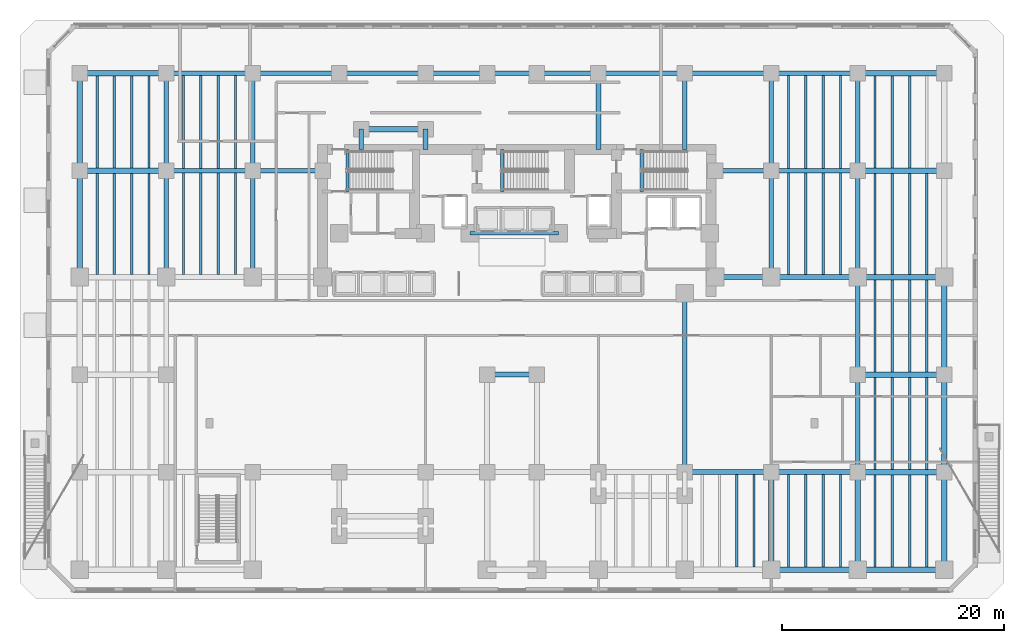
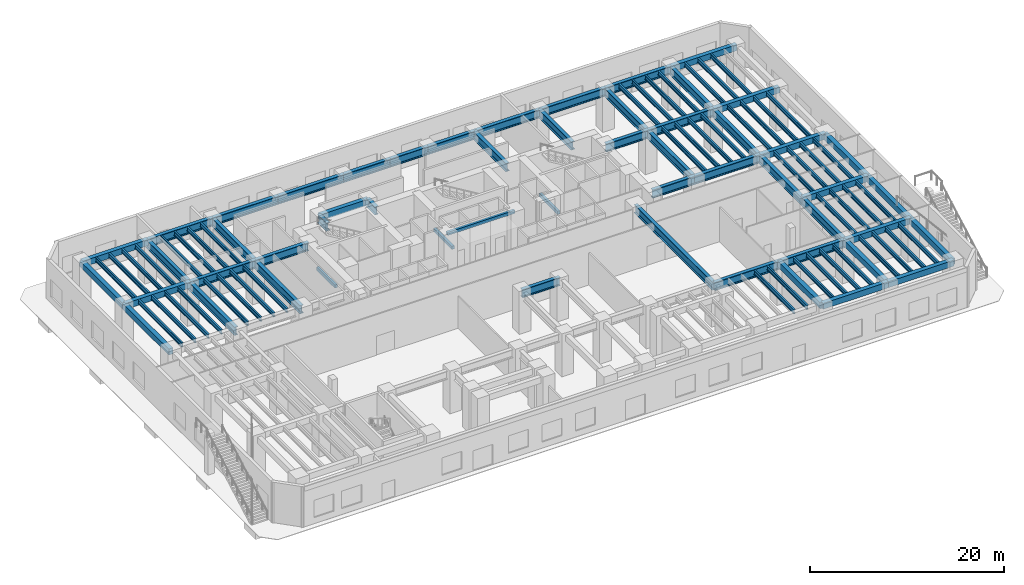
# One storey, part 2 of 17: 103 beams.
"""IFC4 building model written with IfcOpenShell, lengths in metres."""

import ifcopenshell
import ifcopenshell.guid

model = None  # the IFC model being written
_history = None  # IfcOwnerHistory: only IFC2X3 demands one
_inside = {}  # id of a spatial element -> (the spatial element, [elements in it])
_under = {}  # id of a project, library or spatial element -> (it, [spatial elements below it])
_declared = {}  # id of a project -> (the project, [libraries it declares])
_typed = {}  # id of a type object -> (the type object, [elements of that type])
_made_of = {}  # id of a material, layer set ... -> (it, [elements and type objects made of it])


def new_model(schema):
    """Start an empty IFC model of exactly this schema.

    Asked for "IFC4X3", IfcOpenShell would pick the latest addendum, in which some entities
    have other attributes; the version numbers below select the first issue.
    IFC2X3 requires an IfcOwnerHistory on every rooted entity: one is made here for all.
    """
    global model, _history
    if schema == "IFC4X3":
        model = ifcopenshell.file(schema_version=(4, 3, 0, 0))
    else:
        model = ifcopenshell.file(schema=schema)
    _inside.clear()
    _under.clear()
    _declared.clear()
    _typed.clear()
    _made_of.clear()
    _history = None
    if model.schema == "IFC2X3":
        org = make("IfcOrganization", Name="unknown")
        user = make(
            "IfcPersonAndOrganization",
            ThePerson=make("IfcPerson", FamilyName="unknown"),
            TheOrganization=org,
        )
        app = make(
            "IfcApplication",
            ApplicationDeveloper=org,
            Version="unknown",
            ApplicationFullName="unknown",
            ApplicationIdentifier="unknown",
        )
        _history = make(
            "IfcOwnerHistory",
            OwningUser=user,
            OwningApplication=app,
            ChangeAction="ADDED",
            CreationDate=0,
        )
    return model


def make(cls, **values):
    """One entity of the class cls with the attributes given. An attribute that is None is left unset."""
    return model.create_entity(
        cls, **{name: value for name, value in values.items() if value is not None}
    )


def rooted(cls, **values):
    """An entity with a GlobalId (a new one), such as an element, a storey or a relation."""
    return make(cls, GlobalId=ifcopenshell.guid.new(), OwnerHistory=_history, **values)


def si_unit(unit_type, name, prefix=None):
    """IfcSIUnit, for example si_unit("LENGTHUNIT", "METRE", prefix="MILLI")."""
    return make("IfcSIUnit", UnitType=unit_type, Prefix=prefix, Name=name)


def assignment(units):
    """IfcUnitAssignment: the units of a project."""
    return None if units is None else make("IfcUnitAssignment", Units=units)


def point(xyz):
    """IfcCartesianPoint."""
    return None if xyz is None else make("IfcCartesianPoint", Coordinates=xyz)


def direction(xyz):
    """IfcDirection."""
    return None if xyz is None else make("IfcDirection", DirectionRatios=xyz)


def frame(location, z_axis=None, x_axis=None):
    """IfcAxis2Placement3D, a coordinate frame: its origin and axes. An axis left out is left unset."""
    return make(
        "IfcAxis2Placement3D",
        Location=point(location),
        Axis=direction(z_axis),
        RefDirection=direction(x_axis),
    )


def frame_2d(location, x_axis=None):
    """IfcAxis2Placement2D, a coordinate frame in the plane: its origin and x axis."""
    return make(
        "IfcAxis2Placement2D", Location=point(location), RefDirection=direction(x_axis)
    )


def origin():
    """The frame at (0, 0, 0) with its axes left unset."""
    return frame((0.0, 0.0, 0.0))


def origin_2d():
    """The frame at (0, 0) in the plane with its x axis left unset."""
    return frame_2d((0.0, 0.0))


def place(relative_to, where):
    """IfcLocalPlacement: puts the frame where relative to a parent placement (None: the world)."""
    return make(
        "IfcLocalPlacement", PlacementRelTo=relative_to, RelativePlacement=where
    )


def context(
    kind, dimensions, precision=None, world=None, true_north=None, identifier=None
):
    """IfcGeometricRepresentationContext, for example the 3D "Model" context."""
    return make(
        "IfcGeometricRepresentationContext",
        ContextIdentifier=identifier,
        ContextType=kind,
        CoordinateSpaceDimension=dimensions,
        Precision=precision,
        WorldCoordinateSystem=world,
        TrueNorth=true_north,
    )


def subcontext(parent, identifier, kind, view, scale=None):
    """IfcGeometricRepresentationSubContext, for example "Body" below "Model"."""
    return make(
        "IfcGeometricRepresentationSubContext",
        ContextIdentifier=identifier,
        ContextType=kind,
        ParentContext=parent,
        TargetScale=scale,
        TargetView=view,
    )


def project(units=None, contexts=None):
    """IfcProject with its units and contexts."""
    return rooted(
        "IfcProject",
        Name="project",
        RepresentationContexts=contexts,
        UnitsInContext=assignment(units),
    )


def spatial(cls, under=None, at=None, **own):
    """A site, building, storey or space (cls), placed at a placement, below another one or the project."""
    s = rooted(cls, ObjectPlacement=at, **own)
    if under is not None:
        _under.setdefault(under.id(), (under, []))[1].append(s)
    return s


def profile(cls, at=None, kind="AREA", **sizes):
    """A parametric profile (cls). Its sizes go by their IFC names, for example OverallWidth=200.0."""
    return make(cls, ProfileType=kind, Position=at, **sizes)


def rectangle(**sizes):
    """IfcRectangleProfileDef."""
    return profile("IfcRectangleProfileDef", **sizes)


def i_section(**sizes):
    """IfcIShapeProfileDef."""
    return profile("IfcIShapeProfileDef", **sizes)


def extrude(swept, where, along, depth):
    """IfcExtrudedAreaSolid: the profile swept, set in the frame where, extruded along a direction by depth."""
    return make(
        "IfcExtrudedAreaSolid",
        SweptArea=swept,
        Position=where,
        ExtrudedDirection=direction(along),
        Depth=depth,
    )


def shape(context_of_items, identifier, shape_type, items):
    """IfcShapeRepresentation: the items that make up one representation, for example the "Body"."""
    return make(
        "IfcShapeRepresentation",
        ContextOfItems=context_of_items,
        RepresentationIdentifier=identifier,
        RepresentationType=shape_type,
        Items=items,
    )


def material(Name=None, Category=None):
    """IfcMaterial."""
    return make("IfcMaterial", Name=Name, Category=Category)


def material_profile(
    of_material, cross_section, Name=None, Category=None, Priority=None
):
    """IfcMaterialProfile: a cross section and its material."""
    return make(
        "IfcMaterialProfile",
        Name=Name,
        Material=of_material,
        Profile=cross_section,
        Priority=Priority,
        Category=Category,
    )


def profile_set(profiles, Name=None, composite=None):
    """IfcMaterialProfileSet."""
    return make(
        "IfcMaterialProfileSet",
        Name=Name,
        MaterialProfiles=profiles,
        CompositeProfile=composite,
    )


def made_of(thing, what):
    """Note that an element or type object is made of a material, layer set ...; save() writes the relation."""
    if what is not None:
        _made_of.setdefault(what.id(), (what, []))[1].append(thing)
    return thing


def type_object(cls, material=None, **own):
    """A type object (cls), such as IfcWallType, which elements share."""
    return made_of(rooted(cls, **own), material)


def element(
    cls,
    number,
    at=None,
    inside=None,
    cuts=None,
    type_object=None,
    material=None,
    context=None,
    identifier="Body",
    shape_type=None,
    held_by="IfcProductDefinitionShape",
    body=None,
    shapes=None,
    **own,
):
    """One element of the class cls, such as IfcWall. Its Tag is "e" and its number.

    at: its placement. inside: the storey or other place that contains it. cuts: it is an
    opening in that element (IfcRelVoidsElement). A single representation is given by context,
    identifier, shape_type and body (its items); several are given by shapes. held_by: the class
    of the entity that holds the representations. save() writes the other relations.
    """
    e = rooted(cls, Tag="e%d" % number, ObjectPlacement=at, **own)
    if body is not None:
        shapes = [shape(context, identifier, shape_type, body)]
    if shapes is not None:
        e.Representation = make(held_by, Representations=shapes)
    if inside is not None:
        _inside.setdefault(inside.id(), (inside, []))[1].append(e)
    if cuts is not None:
        rooted(
            "IfcRelVoidsElement", RelatingBuildingElement=cuts, RelatedOpeningElement=e
        )
    if type_object is not None:
        _typed.setdefault(type_object.id(), (type_object, []))[1].append(e)
    return made_of(e, material)


def aggregate(whole, parts):
    """IfcRelAggregates: a whole, such as a stair, and the parts it consists of."""
    return rooted("IfcRelAggregates", RelatingObject=whole, RelatedObjects=parts)


def save(model, path):
    """Write the relations noted so far, then the file.

    IfcRelAggregates (storeys below a building ...), IfcRelContainedInSpatialStructure (elements
    in a storey), IfcRelDefinesByType, IfcRelAssociatesMaterial and IfcRelDeclares: one each for
    every whole, place, type object, material and project.
    """
    for whole, parts in _under.values():
        aggregate(whole, parts)
    for where, things in _inside.values():
        rooted(
            "IfcRelContainedInSpatialStructure",
            RelatedElements=things,
            RelatingStructure=where,
        )
    for kind, things in _typed.values():
        rooted("IfcRelDefinesByType", RelatedObjects=things, RelatingType=kind)
    for what, things in _made_of.values():
        rooted("IfcRelAssociatesMaterial", RelatedObjects=things, RelatingMaterial=what)
    for by, libraries in _declared.values():
        rooted("IfcRelDeclares", RelatingContext=by, RelatedDefinitions=libraries)
    model.write(path)


model = new_model("IFC4")

# Units and contexts
model_context = context("Model", 3, precision=1e-05, world=origin(), true_north=direction((0.0, 1.0)))
body_context = subcontext(model_context, "Body", "Model", "MODEL_VIEW")
ifc_project = project(units=[si_unit("LENGTHUNIT", "METRE"), si_unit("AREAUNIT", "SQUARE_METRE"), si_unit("VOLUMEUNIT", "CUBIC_METRE"), si_unit("PLANEANGLEUNIT", "RADIAN"), si_unit("MASSUNIT", "GRAM", prefix="KILO")], contexts=[model_context])

# Site, building, storey
site_placement = place(None, origin())
site = spatial("IfcSite", under=ifc_project, at=site_placement, CompositionType="ELEMENT")
building_placement = place(site_placement, origin())
building = spatial("IfcBuilding", under=site, at=building_placement, Name="Kestravale Grand Hotel", CompositionType="ELEMENT")
storey_placement = place(building_placement, origin())
storey = spatial("IfcBuildingStorey", under=building, at=storey_placement, Name="L00", CompositionType="ELEMENT", Elevation=0.0)

# Beams
ifc_material_1 = material(Name="Steel ASTM A992 Grade 50", Category="steel")
ifc_material_profile_1 = material_profile(ifc_material_1, i_section(OverallWidth=0.2099609375, OverallDepth=0.535888671875, WebThickness=0.010986328125, FlangeThickness=0.017333984375, FilletRadius=0.017578125, at=origin_2d()))
ifc_profile_set_1 = profile_set([ifc_material_profile_1], Name="Steel ASTM A992 Grade 50")
beam_type_1 = type_object("IfcBeamType", Name="B-FLR-JST21", PredefinedType="JOIST", material=ifc_profile_set_1)
for number, where, z_axis, x_axis, name in (
    (1, (1.56005859375, 29.050048828125, 4.83203125), (0.0, 1.0, 0.0), (-1.0, 0.0, 0.0), "L00 floor joist 1-2/E-F #1"),
    (2, (3.1201171875, 29.050048828125, 4.83203125), (0.0, 1.0, 0.0), (-1.0, 0.0, 0.0), "L00 floor joist 1-2/E-F #2"),
    (3, (4.679931640625, 29.050048828125, 4.83203125), (0.0, 1.0, 0.0), (-1.0, 0.0, 0.0), "L00 floor joist 1-2/E-F #3"),
    (4, (6.239990234375, 29.050048828125, 4.83203125), (0.0, 1.0, 0.0), (-1.0, 0.0, 0.0), "L00 floor joist 1-2/E-F #4"),
):
    element("IfcBeam", number, at=place(storey_placement, frame(where, z_axis=z_axis, x_axis=x_axis)), inside=storey, type_object=beam_type_1, Name=name, PredefinedType="JOIST", context=body_context, shape_type="SweptSolid", body=[
        extrude(i_section(OverallWidth=0.2099609375, OverallDepth=0.535888671875, WebThickness=0.010986328125, FlangeThickness=0.017333984375, FilletRadius=0.017578125, at=origin_2d()), origin(), (0.0, 0.0, 1.0), 9.099853515625),
    ])
for number, where, z_axis, x_axis, name in (
    (5, (1.56005859375, 38.64990234375, 4.83203125), (0.0, 1.0, 0.0), (-1.0, 0.0, 0.0), "L00 floor joist 1-2/F-G #1"),
    (6, (3.1201171875, 38.64990234375, 4.83203125), (0.0, 1.0, 0.0), (-1.0, 0.0, 0.0), "L00 floor joist 1-2/F-G #2"),
    (7, (4.679931640625, 38.64990234375, 4.83203125), (0.0, 1.0, 0.0), (-1.0, 0.0, 0.0), "L00 floor joist 1-2/F-G #3"),
    (8, (6.239990234375, 38.64990234375, 4.83203125), (0.0, 1.0, 0.0), (-1.0, 0.0, 0.0), "L00 floor joist 1-2/F-G #4"),
):
    element("IfcBeam", number, at=place(storey_placement, frame(where, z_axis=z_axis, x_axis=x_axis)), inside=storey, type_object=beam_type_1, Name=name, PredefinedType="JOIST", context=body_context, shape_type="SweptSolid", body=[
        extrude(i_section(OverallWidth=0.2099609375, OverallDepth=0.535888671875, WebThickness=0.010986328125, FlangeThickness=0.017333984375, FilletRadius=0.017578125, at=origin_2d()), origin(), (0.0, 0.0, 1.0), 8.300048828125),
    ])
for number, where, z_axis, x_axis, name in (
    (9, (9.360107421875, 29.013427734375, 4.83203125), (0.0, 1.0, 0.0), (-1.0, 0.0, 0.0), "L00 floor joist 2-3/E-F #1"),
    (10, (10.919921875, 29.013427734375, 4.83203125), (0.0, 1.0, 0.0), (-1.0, 0.0, 0.0), "L00 floor joist 2-3/E-F #2"),
    (11, (12.47998046875, 29.013427734375, 4.83203125), (0.0, 1.0, 0.0), (-1.0, 0.0, 0.0), "L00 floor joist 2-3/E-F #3"),
    (12, (14.0400390625, 29.013427734375, 4.83203125), (0.0, 1.0, 0.0), (-1.0, 0.0, 0.0), "L00 floor joist 2-3/E-F #4"),
):
    element("IfcBeam", number, at=place(storey_placement, frame(where, z_axis=z_axis, x_axis=x_axis)), inside=storey, type_object=beam_type_1, Name=name, PredefinedType="JOIST", context=body_context, shape_type="SweptSolid", body=[
        extrude(i_section(OverallWidth=0.2099609375, OverallDepth=0.535888671875, WebThickness=0.010986328125, FlangeThickness=0.017333984375, FilletRadius=0.017578125, at=origin_2d()), origin(), (0.0, 0.0, 1.0), 9.173095703125),
    ])
for number, where, z_axis, x_axis, name in (
    (13, (9.360107421875, 38.613525390625, 4.83203125), (0.0, 1.0, 0.0), (-1.0, 0.0, 0.0), "L00 floor joist 2-3/F-G #1"),
    (14, (10.919921875, 38.613525390625, 4.83203125), (0.0, 1.0, 0.0), (-1.0, 0.0, 0.0), "L00 floor joist 2-3/F-G #2"),
    (15, (12.47998046875, 38.613525390625, 4.83203125), (0.0, 1.0, 0.0), (-1.0, 0.0, 0.0), "L00 floor joist 2-3/F-G #3"),
    (16, (14.0400390625, 38.613525390625, 4.83203125), (0.0, 1.0, 0.0), (-1.0, 0.0, 0.0), "L00 floor joist 2-3/F-G #4"),
):
    element("IfcBeam", number, at=place(storey_placement, frame(where, z_axis=z_axis, x_axis=x_axis)), inside=storey, type_object=beam_type_1, Name=name, PredefinedType="JOIST", context=body_context, shape_type="SweptSolid", body=[
        extrude(i_section(OverallWidth=0.2099609375, OverallDepth=0.535888671875, WebThickness=0.010986328125, FlangeThickness=0.017333984375, FilletRadius=0.017578125, at=origin_2d()), origin(), (0.0, 0.0, 1.0), 8.373046875),
    ])
for number, where, z_axis, x_axis, name in (
    (17, (59.280029296875, 2.64990234375, 4.83203125), (0.0, 1.0, 0.0), (-1.0, 0.0, 0.0), "L00 floor joist 9-10/B-C #3"),
    (18, (60.840087890625, 2.64990234375, 4.83203125), (0.0, 1.0, 0.0), (-1.0, 0.0, 0.0), "L00 floor joist 9-10/B-C #4"),
    (19, (63.9599609375, 2.64990234375, 4.83203125), (0.0, 1.0, 0.0), (-1.0, 0.0, 0.0), "L00 floor joist 10-11/B-C #1"),
    (20, (65.52001953125, 2.64990234375, 4.83203125), (0.0, 1.0, 0.0), (-1.0, 0.0, 0.0), "L00 floor joist 10-11/B-C #2"),
    (21, (67.080078125, 2.64990234375, 4.83203125), (0.0, 1.0, 0.0), (-1.0, 0.0, 0.0), "L00 floor joist 10-11/B-C #3"),
    (22, (68.639892578125, 2.64990234375, 4.83203125), (0.0, 1.0, 0.0), (-1.0, 0.0, 0.0), "L00 floor joist 10-11/B-C #4"),
):
    element("IfcBeam", number, at=place(storey_placement, frame(where, z_axis=z_axis, x_axis=x_axis)), inside=storey, type_object=beam_type_1, Name=name, PredefinedType="JOIST", context=body_context, shape_type="SweptSolid", body=[
        extrude(i_section(OverallWidth=0.2099609375, OverallDepth=0.535888671875, WebThickness=0.010986328125, FlangeThickness=0.017333984375, FilletRadius=0.017578125, at=origin_2d()), origin(), (0.0, 0.0, 1.0), 8.336669921875),
    ])
for number, where, z_axis, x_axis, name in (
    (23, (63.9599609375, 29.013427734375, 4.83203125), (0.0, 1.0, 0.0), (-1.0, 0.0, 0.0), "L00 floor joist 10-11/E-F #1"),
    (24, (65.52001953125, 29.013427734375, 4.83203125), (0.0, 1.0, 0.0), (-1.0, 0.0, 0.0), "L00 floor joist 10-11/E-F #2"),
    (25, (67.080078125, 29.013427734375, 4.83203125), (0.0, 1.0, 0.0), (-1.0, 0.0, 0.0), "L00 floor joist 10-11/E-F #3"),
    (26, (68.639892578125, 29.013427734375, 4.83203125), (0.0, 1.0, 0.0), (-1.0, 0.0, 0.0), "L00 floor joist 10-11/E-F #4"),
):
    element("IfcBeam", number, at=place(storey_placement, frame(where, z_axis=z_axis, x_axis=x_axis)), inside=storey, type_object=beam_type_1, Name=name, PredefinedType="JOIST", context=body_context, shape_type="SweptSolid", body=[
        extrude(i_section(OverallWidth=0.2099609375, OverallDepth=0.535888671875, WebThickness=0.010986328125, FlangeThickness=0.017333984375, FilletRadius=0.017578125, at=origin_2d()), origin(), (0.0, 0.0, 1.0), 9.173095703125),
    ])
for number, where, z_axis, x_axis, name in (
    (27, (63.9599609375, 38.613525390625, 4.83203125), (0.0, 1.0, 0.0), (-1.0, 0.0, 0.0), "L00 floor joist 10-11/F-G #1"),
    (28, (65.52001953125, 38.613525390625, 4.83203125), (0.0, 1.0, 0.0), (-1.0, 0.0, 0.0), "L00 floor joist 10-11/F-G #2"),
    (29, (67.080078125, 38.613525390625, 4.83203125), (0.0, 1.0, 0.0), (-1.0, 0.0, 0.0), "L00 floor joist 10-11/F-G #3"),
    (30, (68.639892578125, 38.613525390625, 4.83203125), (0.0, 1.0, 0.0), (-1.0, 0.0, 0.0), "L00 floor joist 10-11/F-G #4"),
):
    element("IfcBeam", number, at=place(storey_placement, frame(where, z_axis=z_axis, x_axis=x_axis)), inside=storey, type_object=beam_type_1, Name=name, PredefinedType="JOIST", context=body_context, shape_type="SweptSolid", body=[
        extrude(i_section(OverallWidth=0.2099609375, OverallDepth=0.535888671875, WebThickness=0.010986328125, FlangeThickness=0.017333984375, FilletRadius=0.017578125, at=origin_2d()), origin(), (0.0, 0.0, 1.0), 8.373046875),
    ])
for number, where, z_axis, x_axis, name in (
    (31, (71.760009765625, 2.64990234375, 4.83203125), (0.0, 1.0, 0.0), (-1.0, 0.0, 0.0), "L00 floor joist 11-12/B-C #1"),
    (32, (73.320068359375, 2.64990234375, 4.83203125), (0.0, 1.0, 0.0), (-1.0, 0.0, 0.0), "L00 floor joist 11-12/B-C #2"),
    (33, (74.8798828125, 2.64990234375, 4.83203125), (0.0, 1.0, 0.0), (-1.0, 0.0, 0.0), "L00 floor joist 11-12/B-C #3"),
    (34, (76.43994140625, 2.64990234375, 4.83203125), (0.0, 1.0, 0.0), (-1.0, 0.0, 0.0), "L00 floor joist 11-12/B-C #4"),
    (35, (71.760009765625, 11.449951171875, 4.83203125), (0.0, 1.0, 0.0), (-1.0, 0.0, 0.0), "L00 floor joist 11-12/C-D #1"),
    (36, (73.320068359375, 11.449951171875, 4.83203125), (0.0, 1.0, 0.0), (-1.0, 0.0, 0.0), "L00 floor joist 11-12/C-D #2"),
    (37, (74.8798828125, 11.449951171875, 4.83203125), (0.0, 1.0, 0.0), (-1.0, 0.0, 0.0), "L00 floor joist 11-12/C-D #3"),
    (38, (76.43994140625, 11.449951171875, 4.83203125), (0.0, 1.0, 0.0), (-1.0, 0.0, 0.0), "L00 floor joist 11-12/C-D #4"),
    (39, (71.760009765625, 20.25, 4.83203125), (0.0, 1.0, 0.0), (-1.0, 0.0, 0.0), "L00 floor joist 11-12/D-E #1"),
    (40, (73.320068359375, 20.25, 4.83203125), (0.0, 1.0, 0.0), (-1.0, 0.0, 0.0), "L00 floor joist 11-12/D-E #2"),
    (41, (74.8798828125, 20.25, 4.83203125), (0.0, 1.0, 0.0), (-1.0, 0.0, 0.0), "L00 floor joist 11-12/D-E #3"),
    (42, (76.43994140625, 20.25, 4.83203125), (0.0, 1.0, 0.0), (-1.0, 0.0, 0.0), "L00 floor joist 11-12/D-E #4"),
):
    element("IfcBeam", number, at=place(storey_placement, frame(where, z_axis=z_axis, x_axis=x_axis)), inside=storey, type_object=beam_type_1, Name=name, PredefinedType="JOIST", context=body_context, shape_type="SweptSolid", body=[
        extrude(i_section(OverallWidth=0.2099609375, OverallDepth=0.535888671875, WebThickness=0.010986328125, FlangeThickness=0.017333984375, FilletRadius=0.017578125, at=origin_2d()), origin(), (0.0, 0.0, 1.0), 8.300048828125),
    ])
for number, where, z_axis, x_axis, name in (
    (43, (71.760009765625, 29.050048828125, 4.83203125), (0.0, 1.0, 0.0), (-1.0, 0.0, 0.0), "L00 floor joist 11-12/E-F #1"),
    (44, (73.320068359375, 29.050048828125, 4.83203125), (0.0, 1.0, 0.0), (-1.0, 0.0, 0.0), "L00 floor joist 11-12/E-F #2"),
    (45, (74.8798828125, 29.050048828125, 4.83203125), (0.0, 1.0, 0.0), (-1.0, 0.0, 0.0), "L00 floor joist 11-12/E-F #3"),
    (46, (76.43994140625, 29.050048828125, 4.83203125), (0.0, 1.0, 0.0), (-1.0, 0.0, 0.0), "L00 floor joist 11-12/E-F #4"),
):
    element("IfcBeam", number, at=place(storey_placement, frame(where, z_axis=z_axis, x_axis=x_axis)), inside=storey, type_object=beam_type_1, Name=name, PredefinedType="JOIST", context=body_context, shape_type="SweptSolid", body=[
        extrude(i_section(OverallWidth=0.2099609375, OverallDepth=0.535888671875, WebThickness=0.010986328125, FlangeThickness=0.017333984375, FilletRadius=0.017578125, at=origin_2d()), origin(), (0.0, 0.0, 1.0), 9.099853515625),
    ])
for number, where, z_axis, x_axis, name in (
    (47, (71.760009765625, 38.64990234375, 4.83203125), (0.0, 1.0, 0.0), (-1.0, 0.0, 0.0), "L00 floor joist 11-12/F-G #1"),
    (48, (73.320068359375, 38.64990234375, 4.83203125), (0.0, 1.0, 0.0), (-1.0, 0.0, 0.0), "L00 floor joist 11-12/F-G #2"),
    (49, (74.8798828125, 38.64990234375, 4.83203125), (0.0, 1.0, 0.0), (-1.0, 0.0, 0.0), "L00 floor joist 11-12/F-G #3"),
):
    element("IfcBeam", number, at=place(storey_placement, frame(where, z_axis=z_axis, x_axis=x_axis)), inside=storey, type_object=beam_type_1, Name=name, PredefinedType="JOIST", context=body_context, shape_type="SweptSolid", body=[
        extrude(i_section(OverallWidth=0.2099609375, OverallDepth=0.535888671875, WebThickness=0.010986328125, FlangeThickness=0.017333984375, FilletRadius=0.017578125, at=origin_2d()), origin(), (0.0, 0.0, 1.0), 8.300048828125),
    ])
ifc_material_2 = material(Name="Concrete f'c 45 MPa", Category="concrete")
ifc_material_profile_2 = material_profile(ifc_material_2, rectangle(XDim=0.300048828125, YDim=0.39990234375, at=origin_2d()))
ifc_profile_set_2 = profile_set([ifc_material_profile_2], Name="Concrete f'c 45 MPa")
beam_type_2 = type_object("IfcBeamType", Name="B-FLR-LNT400", PredefinedType="LINTEL", material=ifc_profile_set_2)
beam_1_placement = place(storey_placement, frame((35.199951171875, 32.75, 4.89990234375), z_axis=(1.0, 0.0, 0.0), x_axis=(0.0, 1.0, 0.0)))
element("IfcBeam", 50, at=beam_1_placement, inside=storey, type_object=beam_type_2, Name="L00 core portal header lintel", PredefinedType="LINTEL", context=body_context, shape_type="SweptSolid", body=[
    extrude(rectangle(XDim=0.300048828125, YDim=0.39990234375, at=origin_2d()), origin(), (0.0, 0.0, 1.0), 8.0),
])
for number, where, z_axis, x_axis, name in (
    (51, (24.159912109375, 36.52001953125, -0.199951171875), (0.0, 1.0, 0.0), (-1.0, 0.0, 0.0), "L00 ST1 flight bottom header beam"),
    (52, (38.110107421875, 36.52001953125, -0.199951171875), (0.0, 1.0, 0.0), (-1.0, 0.0, 0.0), "L00 ST2 flight bottom header beam"),
    (53, (50.7099609375, 36.52001953125, -0.199951171875), (0.0, 1.0, 0.0), (-1.0, 0.0, 0.0), "L00 ST3 flight bottom header beam"),
):
    element("IfcBeam", number, at=place(storey_placement, frame(where, z_axis=z_axis, x_axis=x_axis)), inside=storey, type_object=beam_type_2, Name=name, PredefinedType="LINTEL", context=body_context, shape_type="SweptSolid", body=[
        extrude(rectangle(XDim=0.300048828125, YDim=0.39990234375, at=origin_2d()), origin(), (0.0, 0.0, 1.0), 3.800048828125),
    ])
ifc_material_3 = material(Name="Concrete f'c 45 MPa", Category="concrete")
ifc_material_profile_3 = material_profile(ifc_material_3, rectangle(XDim=0.5, YDim=0.75, at=origin_2d()))
ifc_profile_set_3 = profile_set([ifc_material_profile_3], Name="Concrete f'c 45 MPa")
beam_type_3 = type_object("IfcBeamType", Name="B-FLR-RC750", PredefinedType="SPANDREL", material=ifc_profile_set_3)
for number, where, z_axis, x_axis, name in (
    (54, (62.39990234375, 2.39990234375, 4.72509765625), (1.0, 0.0, 0.0), (0.0, 1.0, 0.0), "L00 spandrel B:10-11"),
    (55, (70.199951171875, 2.39990234375, 4.72509765625), (1.0, 0.0, 0.0), (0.0, 1.0, 0.0), "L00 spandrel B:11-12"),
    (56, (70.199951171875, 11.199951171875, 4.72509765625), (1.0, 0.0, 0.0), (0.0, 1.0, 0.0), "L00 spandrel C:11-12"),
    (57, (70.199951171875, 20.0, 4.72509765625), (1.0, 0.0, 0.0), (0.0, 1.0, 0.0), "L00 spandrel D:11-12"),
    (58, (70.199951171875, 28.800048828125, 4.72509765625), (1.0, 0.0, 0.0), (0.0, 1.0, 0.0), "L00 spandrel E:11-12"),
    (59, (0.0, 38.39990234375, 4.72509765625), (1.0, 0.0, 0.0), (0.0, 1.0, 0.0), "L00 spandrel F:1-2"),
    (60, (70.199951171875, 38.39990234375, 4.72509765625), (1.0, 0.0, 0.0), (0.0, 1.0, 0.0), "L00 spandrel F:11-12"),
    (61, (0.0, 47.199951171875, 4.72509765625), (1.0, 0.0, 0.0), (0.0, 1.0, 0.0), "L00 spandrel G:1-2"),
    (62, (70.199951171875, 47.199951171875, 4.72509765625), (1.0, 0.0, 0.0), (0.0, 1.0, 0.0), "L00 spandrel G:11-12"),
):
    element("IfcBeam", number, at=place(storey_placement, frame(where, z_axis=z_axis, x_axis=x_axis)), inside=storey, type_object=beam_type_3, Name=name, PredefinedType="SPANDREL", context=body_context, shape_type="SweptSolid", body=[
        extrude(rectangle(XDim=0.5, YDim=0.75, at=origin_2d()), origin(), (0.0, 0.0, 1.0), 7.800048828125),
    ])
beam_2_placement = place(storey_placement, frame((25.39990234375, 42.14990234375, 4.72509765625), z_axis=(1.0, 0.0, 0.0), x_axis=(0.0, 1.0, 0.0)))
element("IfcBeam", 63, at=beam_2_placement, inside=storey, type_object=beam_type_3, Name="L00 perimeter tie spandrel FN:4-5", PredefinedType="SPANDREL", context=body_context, shape_type="SweptSolid", body=[
    extrude(rectangle(XDim=0.5, YDim=0.75, at=origin_2d()), origin(), (0.0, 0.0, 1.0), 5.800048828125),
])
beam_3_placement = place(storey_placement, frame((0.0, 28.800048828125, 4.72509765625), z_axis=(0.0, 1.0, 0.0), x_axis=(-1.0, 0.0, 0.0)))
element("IfcBeam", 64, at=beam_3_placement, inside=storey, type_object=beam_type_3, Name="L00 spandrel 1:E-F", PredefinedType="SPANDREL", context=body_context, shape_type="SweptSolid", body=[
    extrude(rectangle(XDim=0.5, YDim=0.75, at=origin_2d()), origin(), (0.0, 0.0, 1.0), 9.599853515625),
])
for number, where, z_axis, x_axis, name in (
    (65, (0.0, 38.39990234375, 4.72509765625), (0.0, 1.0, 0.0), (-1.0, 0.0, 0.0), "L00 spandrel 1:F-G"),
    (66, (62.39990234375, 2.39990234375, 4.72509765625), (0.0, 1.0, 0.0), (-1.0, 0.0, 0.0), "L00 spandrel 10:B-C"),
    (67, (70.199951171875, 2.39990234375, 4.72509765625), (0.0, 1.0, 0.0), (-1.0, 0.0, 0.0), "L00 spandrel 11:B-C"),
    (68, (78.0, 2.39990234375, 4.72509765625), (0.0, 1.0, 0.0), (-1.0, 0.0, 0.0), "L00 spandrel 12:B-C"),
    (69, (78.0, 11.199951171875, 4.72509765625), (0.0, 1.0, 0.0), (-1.0, 0.0, 0.0), "L00 spandrel 12:C-D"),
    (70, (78.0, 20.0, 4.72509765625), (0.0, 1.0, 0.0), (-1.0, 0.0, 0.0), "L00 spandrel 12:D-E"),
):
    element("IfcBeam", number, at=place(storey_placement, frame(where, z_axis=z_axis, x_axis=x_axis)), inside=storey, type_object=beam_type_3, Name=name, PredefinedType="SPANDREL", context=body_context, shape_type="SweptSolid", body=[
        extrude(rectangle(XDim=0.5, YDim=0.75, at=origin_2d()), origin(), (0.0, 0.0, 1.0), 8.800048828125),
    ])
ifc_material_4 = material(Name="Steel ASTM A992 Grade 50", Category="steel")
ifc_material_profile_4 = material_profile(ifc_material_4, i_section(OverallWidth=0.427001953125, OverallDepth=1.0400390625, WebThickness=0.031005859375, FlangeThickness=0.055908203125, FilletRadius=0.028076171875, at=origin_2d()))
ifc_profile_set_4 = profile_set([ifc_material_profile_4], Name="Steel ASTM A992 Grade 50")
beam_type_4 = type_object("IfcBeamType", Name="B-GRD-W40", PredefinedType="BEAM", material=ifc_profile_set_4)
beam_4_placement = place(storey_placement, frame((54.60009765625, 11.199951171875, 4.580078125), z_axis=(1.0, 0.0, 0.0), x_axis=(0.0, 1.0, 0.0)))
element("IfcBeam", 71, at=beam_4_placement, inside=storey, type_object=beam_type_4, Name="L00 girder C:9-10", PredefinedType="BEAM", context=body_context, shape_type="SweptSolid", body=[
    extrude(i_section(OverallWidth=0.427001953125, OverallDepth=1.0400390625, WebThickness=0.031005859375, FlangeThickness=0.055908203125, FilletRadius=0.028076171875, at=origin_2d()), origin(), (0.0, 0.0, 1.0), 7.7998046875),
])
beam_5_placement = place(storey_placement, frame((62.39990234375, 11.199951171875, 4.580078125), z_axis=(1.0, 0.0, 0.0), x_axis=(0.0, 1.0, 0.0)))
element("IfcBeam", 72, at=beam_5_placement, inside=storey, type_object=beam_type_4, Name="L00 girder C:10-11", PredefinedType="BEAM", context=body_context, shape_type="SweptSolid", body=[
    extrude(i_section(OverallWidth=0.427001953125, OverallDepth=1.0400390625, WebThickness=0.031005859375, FlangeThickness=0.055908203125, FilletRadius=0.028076171875, at=origin_2d()), origin(), (0.0, 0.0, 1.0), 7.800048828125),
])
beam_6_placement = place(storey_placement, frame((36.75, 20.0, 4.580078125), z_axis=(1.0, 0.0, 0.0), x_axis=(0.0, 1.0, 0.0)))
element("IfcBeam", 73, at=beam_6_placement, inside=storey, type_object=beam_type_4, Name="L00 girder D:6-7", PredefinedType="BEAM", context=body_context, shape_type="SweptSolid", body=[
    extrude(i_section(OverallWidth=0.427001953125, OverallDepth=1.0400390625, WebThickness=0.031005859375, FlangeThickness=0.055908203125, FilletRadius=0.028076171875, at=origin_2d()), origin(), (0.0, 0.0, 1.0), 4.5),
])
beam_7_placement = place(storey_placement, frame((57.35009765625, 28.800048828125, 4.580078125), z_axis=(1.0, 0.0, 0.0), x_axis=(0.0, 1.0, 0.0)))
element("IfcBeam", 74, at=beam_7_placement, inside=storey, type_object=beam_type_4, Name="L00 girder E:CE-10", PredefinedType="BEAM", context=body_context, shape_type="SweptSolid", body=[
    extrude(i_section(OverallWidth=0.427001953125, OverallDepth=1.0400390625, WebThickness=0.031005859375, FlangeThickness=0.055908203125, FilletRadius=0.028076171875, at=origin_2d()), origin(), (0.0, 0.0, 1.0), 5.0498046875),
])
for number, where, z_axis, x_axis, name in (
    (75, (62.39990234375, 28.800048828125, 4.580078125), (1.0, 0.0, 0.0), (0.0, 1.0, 0.0), "L00 girder E:10-11"),
    (76, (7.800048828125, 38.39990234375, 4.580078125), (1.0, 0.0, 0.0), (0.0, 1.0, 0.0), "L00 girder F:2-3"),
):
    element("IfcBeam", number, at=place(storey_placement, frame(where, z_axis=z_axis, x_axis=x_axis)), inside=storey, type_object=beam_type_4, Name=name, PredefinedType="BEAM", context=body_context, shape_type="SweptSolid", body=[
        extrude(i_section(OverallWidth=0.427001953125, OverallDepth=1.0400390625, WebThickness=0.031005859375, FlangeThickness=0.055908203125, FilletRadius=0.028076171875, at=origin_2d()), origin(), (0.0, 0.0, 1.0), 7.800048828125),
    ])
beam_8_placement = place(storey_placement, frame((15.60009765625, 38.39990234375, 4.580078125), z_axis=(1.0, 0.0, 0.0), x_axis=(0.0, 1.0, 0.0)))
element("IfcBeam", 77, at=beam_8_placement, inside=storey, type_object=beam_type_4, Name="L00 girder F:3-CW", PredefinedType="BEAM", context=body_context, shape_type="SweptSolid", body=[
    extrude(i_section(OverallWidth=0.427001953125, OverallDepth=1.0400390625, WebThickness=0.031005859375, FlangeThickness=0.055908203125, FilletRadius=0.028076171875, at=origin_2d()), origin(), (0.0, 0.0, 1.0), 6.2998046875),
])
beam_9_placement = place(storey_placement, frame((57.35009765625, 38.39990234375, 4.580078125), z_axis=(1.0, 0.0, 0.0), x_axis=(0.0, 1.0, 0.0)))
element("IfcBeam", 78, at=beam_9_placement, inside=storey, type_object=beam_type_4, Name="L00 girder F:CE-10", PredefinedType="BEAM", context=body_context, shape_type="SweptSolid", body=[
    extrude(i_section(OverallWidth=0.427001953125, OverallDepth=1.0400390625, WebThickness=0.031005859375, FlangeThickness=0.055908203125, FilletRadius=0.028076171875, at=origin_2d()), origin(), (0.0, 0.0, 1.0), 5.0498046875),
])
for number, where, z_axis, x_axis, name in (
    (79, (62.39990234375, 38.39990234375, 4.580078125), (1.0, 0.0, 0.0), (0.0, 1.0, 0.0), "L00 girder F:10-11"),
    (80, (7.800048828125, 47.199951171875, 4.580078125), (1.0, 0.0, 0.0), (0.0, 1.0, 0.0), "L00 girder G:2-3"),
):
    element("IfcBeam", number, at=place(storey_placement, frame(where, z_axis=z_axis, x_axis=x_axis)), inside=storey, type_object=beam_type_4, Name=name, PredefinedType="BEAM", context=body_context, shape_type="SweptSolid", body=[
        extrude(i_section(OverallWidth=0.427001953125, OverallDepth=1.0400390625, WebThickness=0.031005859375, FlangeThickness=0.055908203125, FilletRadius=0.028076171875, at=origin_2d()), origin(), (0.0, 0.0, 1.0), 7.800048828125),
    ])
beam_10_placement = place(storey_placement, frame((15.60009765625, 47.199951171875, 4.580078125), z_axis=(1.0, 0.0, 0.0), x_axis=(0.0, 1.0, 0.0)))
element("IfcBeam", 81, at=beam_10_placement, inside=storey, type_object=beam_type_4, Name="L00 girder G:3-4", PredefinedType="BEAM", context=body_context, shape_type="SweptSolid", body=[
    extrude(i_section(OverallWidth=0.427001953125, OverallDepth=1.0400390625, WebThickness=0.031005859375, FlangeThickness=0.055908203125, FilletRadius=0.028076171875, at=origin_2d()), origin(), (0.0, 0.0, 1.0), 7.7998046875),
])
beam_11_placement = place(storey_placement, frame((23.39990234375, 47.199951171875, 4.580078125), z_axis=(1.0, 0.0, 0.0), x_axis=(0.0, 1.0, 0.0)))
element("IfcBeam", 82, at=beam_11_placement, inside=storey, type_object=beam_type_4, Name="L00 girder G:4-5", PredefinedType="BEAM", context=body_context, shape_type="SweptSolid", body=[
    extrude(i_section(OverallWidth=0.427001953125, OverallDepth=1.0400390625, WebThickness=0.031005859375, FlangeThickness=0.055908203125, FilletRadius=0.028076171875, at=origin_2d()), origin(), (0.0, 0.0, 1.0), 7.800048828125),
])
beam_12_placement = place(storey_placement, frame((31.199951171875, 47.199951171875, 4.580078125), z_axis=(1.0, 0.0, 0.0), x_axis=(0.0, 1.0, 0.0)))
element("IfcBeam", 83, at=beam_12_placement, inside=storey, type_object=beam_type_4, Name="L00 girder G:5-6", PredefinedType="BEAM", context=body_context, shape_type="SweptSolid", body=[
    extrude(i_section(OverallWidth=0.427001953125, OverallDepth=1.0400390625, WebThickness=0.031005859375, FlangeThickness=0.055908203125, FilletRadius=0.028076171875, at=origin_2d()), origin(), (0.0, 0.0, 1.0), 5.550048828125),
])
beam_13_placement = place(storey_placement, frame((36.75, 47.199951171875, 4.580078125), z_axis=(1.0, 0.0, 0.0), x_axis=(0.0, 1.0, 0.0)))
element("IfcBeam", 84, at=beam_13_placement, inside=storey, type_object=beam_type_4, Name="L00 girder G:6-7", PredefinedType="BEAM", context=body_context, shape_type="SweptSolid", body=[
    extrude(i_section(OverallWidth=0.427001953125, OverallDepth=1.0400390625, WebThickness=0.031005859375, FlangeThickness=0.055908203125, FilletRadius=0.028076171875, at=origin_2d()), origin(), (0.0, 0.0, 1.0), 4.5),
])
beam_14_placement = place(storey_placement, frame((41.25, 47.199951171875, 4.580078125), z_axis=(1.0, 0.0, 0.0), x_axis=(0.0, 1.0, 0.0)))
element("IfcBeam", 85, at=beam_14_placement, inside=storey, type_object=beam_type_4, Name="L00 girder G:7-8", PredefinedType="BEAM", context=body_context, shape_type="SweptSolid", body=[
    extrude(i_section(OverallWidth=0.427001953125, OverallDepth=1.0400390625, WebThickness=0.031005859375, FlangeThickness=0.055908203125, FilletRadius=0.028076171875, at=origin_2d()), origin(), (0.0, 0.0, 1.0), 5.550048828125),
])
beam_15_placement = place(storey_placement, frame((46.800048828125, 47.199951171875, 4.580078125), z_axis=(1.0, 0.0, 0.0), x_axis=(0.0, 1.0, 0.0)))
element("IfcBeam", 86, at=beam_15_placement, inside=storey, type_object=beam_type_4, Name="L00 girder G:8-9", PredefinedType="BEAM", context=body_context, shape_type="SweptSolid", body=[
    extrude(i_section(OverallWidth=0.427001953125, OverallDepth=1.0400390625, WebThickness=0.031005859375, FlangeThickness=0.055908203125, FilletRadius=0.028076171875, at=origin_2d()), origin(), (0.0, 0.0, 1.0), 7.800048828125),
])
beam_16_placement = place(storey_placement, frame((54.60009765625, 47.199951171875, 4.580078125), z_axis=(1.0, 0.0, 0.0), x_axis=(0.0, 1.0, 0.0)))
element("IfcBeam", 87, at=beam_16_placement, inside=storey, type_object=beam_type_4, Name="L00 girder G:9-10", PredefinedType="BEAM", context=body_context, shape_type="SweptSolid", body=[
    extrude(i_section(OverallWidth=0.427001953125, OverallDepth=1.0400390625, WebThickness=0.031005859375, FlangeThickness=0.055908203125, FilletRadius=0.028076171875, at=origin_2d()), origin(), (0.0, 0.0, 1.0), 7.7998046875),
])
beam_17_placement = place(storey_placement, frame((62.39990234375, 47.199951171875, 4.580078125), z_axis=(1.0, 0.0, 0.0), x_axis=(0.0, 1.0, 0.0)))
element("IfcBeam", 88, at=beam_17_placement, inside=storey, type_object=beam_type_4, Name="L00 girder G:10-11", PredefinedType="BEAM", context=body_context, shape_type="SweptSolid", body=[
    extrude(i_section(OverallWidth=0.427001953125, OverallDepth=1.0400390625, WebThickness=0.031005859375, FlangeThickness=0.055908203125, FilletRadius=0.028076171875, at=origin_2d()), origin(), (0.0, 0.0, 1.0), 7.800048828125),
])
beam_18_placement = place(storey_placement, frame((7.800048828125, 28.800048828125, 4.580078125), z_axis=(0.0, 1.0, 0.0), x_axis=(-1.0, 0.0, 0.0)))
element("IfcBeam", 89, at=beam_18_placement, inside=storey, type_object=beam_type_4, Name="L00 girder 2:E-F", PredefinedType="BEAM", context=body_context, shape_type="SweptSolid", body=[
    extrude(i_section(OverallWidth=0.427001953125, OverallDepth=1.0400390625, WebThickness=0.031005859375, FlangeThickness=0.055908203125, FilletRadius=0.028076171875, at=origin_2d()), origin(), (0.0, 0.0, 1.0), 9.599853515625),
])
beam_19_placement = place(storey_placement, frame((7.800048828125, 38.39990234375, 4.580078125), z_axis=(0.0, 1.0, 0.0), x_axis=(-1.0, 0.0, 0.0)))
element("IfcBeam", 90, at=beam_19_placement, inside=storey, type_object=beam_type_4, Name="L00 girder 2:F-G", PredefinedType="BEAM", context=body_context, shape_type="SweptSolid", body=[
    extrude(i_section(OverallWidth=0.427001953125, OverallDepth=1.0400390625, WebThickness=0.031005859375, FlangeThickness=0.055908203125, FilletRadius=0.028076171875, at=origin_2d()), origin(), (0.0, 0.0, 1.0), 8.800048828125),
])
beam_20_placement = place(storey_placement, frame((15.60009765625, 28.800048828125, 4.580078125), z_axis=(0.0, 1.0, 0.0), x_axis=(-1.0, 0.0, 0.0)))
element("IfcBeam", 91, at=beam_20_placement, inside=storey, type_object=beam_type_4, Name="L00 girder 3:E-F", PredefinedType="BEAM", context=body_context, shape_type="SweptSolid", body=[
    extrude(i_section(OverallWidth=0.427001953125, OverallDepth=1.0400390625, WebThickness=0.031005859375, FlangeThickness=0.055908203125, FilletRadius=0.028076171875, at=origin_2d()), origin(), (0.0, 0.0, 1.0), 9.599853515625),
])
beam_21_placement = place(storey_placement, frame((15.60009765625, 38.39990234375, 4.580078125), z_axis=(0.0, 1.0, 0.0), x_axis=(-1.0, 0.0, 0.0)))
element("IfcBeam", 92, at=beam_21_placement, inside=storey, type_object=beam_type_4, Name="L00 girder 3:F-G", PredefinedType="BEAM", context=body_context, shape_type="SweptSolid", body=[
    extrude(i_section(OverallWidth=0.427001953125, OverallDepth=1.0400390625, WebThickness=0.031005859375, FlangeThickness=0.055908203125, FilletRadius=0.028076171875, at=origin_2d()), origin(), (0.0, 0.0, 1.0), 8.800048828125),
])
beam_22_placement = place(storey_placement, frame((54.60009765625, 11.199951171875, 4.580078125), z_axis=(0.0, 1.0, 0.0), x_axis=(-1.0, 0.0, 0.0)))
element("IfcBeam", 93, at=beam_22_placement, inside=storey, type_object=beam_type_4, Name="L00 girder 9:C-CS", PredefinedType="BEAM", context=body_context, shape_type="SweptSolid", body=[
    extrude(i_section(OverallWidth=0.427001953125, OverallDepth=1.0400390625, WebThickness=0.031005859375, FlangeThickness=0.055908203125, FilletRadius=0.028076171875, at=origin_2d()), origin(), (0.0, 0.0, 1.0), 16.150146484375),
])
beam_23_placement = place(storey_placement, frame((62.39990234375, 28.800048828125, 4.580078125), z_axis=(0.0, 1.0, 0.0), x_axis=(-1.0, 0.0, 0.0)))
element("IfcBeam", 94, at=beam_23_placement, inside=storey, type_object=beam_type_4, Name="L00 girder 10:E-F", PredefinedType="BEAM", context=body_context, shape_type="SweptSolid", body=[
    extrude(i_section(OverallWidth=0.427001953125, OverallDepth=1.0400390625, WebThickness=0.031005859375, FlangeThickness=0.055908203125, FilletRadius=0.028076171875, at=origin_2d()), origin(), (0.0, 0.0, 1.0), 9.599853515625),
])
for number, where, z_axis, x_axis, name in (
    (95, (62.39990234375, 38.39990234375, 4.580078125), (0.0, 1.0, 0.0), (-1.0, 0.0, 0.0), "L00 girder 10:F-G"),
    (96, (70.199951171875, 11.199951171875, 4.580078125), (0.0, 1.0, 0.0), (-1.0, 0.0, 0.0), "L00 girder 11:C-D"),
    (97, (70.199951171875, 20.0, 4.580078125), (0.0, 1.0, 0.0), (-1.0, 0.0, 0.0), "L00 girder 11:D-E"),
):
    element("IfcBeam", number, at=place(storey_placement, frame(where, z_axis=z_axis, x_axis=x_axis)), inside=storey, type_object=beam_type_4, Name=name, PredefinedType="BEAM", context=body_context, shape_type="SweptSolid", body=[
        extrude(i_section(OverallWidth=0.427001953125, OverallDepth=1.0400390625, WebThickness=0.031005859375, FlangeThickness=0.055908203125, FilletRadius=0.028076171875, at=origin_2d()), origin(), (0.0, 0.0, 1.0), 8.800048828125),
    ])
beam_24_placement = place(storey_placement, frame((70.199951171875, 28.800048828125, 4.580078125), z_axis=(0.0, 1.0, 0.0), x_axis=(-1.0, 0.0, 0.0)))
element("IfcBeam", 98, at=beam_24_placement, inside=storey, type_object=beam_type_4, Name="L00 girder 11:E-F", PredefinedType="BEAM", context=body_context, shape_type="SweptSolid", body=[
    extrude(i_section(OverallWidth=0.427001953125, OverallDepth=1.0400390625, WebThickness=0.031005859375, FlangeThickness=0.055908203125, FilletRadius=0.028076171875, at=origin_2d()), origin(), (0.0, 0.0, 1.0), 9.599853515625),
])
beam_25_placement = place(storey_placement, frame((70.199951171875, 38.39990234375, 4.580078125), z_axis=(0.0, 1.0, 0.0), x_axis=(-1.0, 0.0, 0.0)))
element("IfcBeam", 99, at=beam_25_placement, inside=storey, type_object=beam_type_4, Name="L00 girder 11:F-G", PredefinedType="BEAM", context=body_context, shape_type="SweptSolid", body=[
    extrude(i_section(OverallWidth=0.427001953125, OverallDepth=1.0400390625, WebThickness=0.031005859375, FlangeThickness=0.055908203125, FilletRadius=0.028076171875, at=origin_2d()), origin(), (0.0, 0.0, 1.0), 8.800048828125),
])
for number, where, z_axis, x_axis, name in (
    (100, (25.39990234375, 40.320068359375, 4.580078125), (0.0, 1.0, 0.0), (-1.0, 0.0, 0.0), "L00 north wing tie girder 4:CN-FN"),
    (101, (31.199951171875, 40.320068359375, 4.580078125), (0.0, 1.0, 0.0), (-1.0, 0.0, 0.0), "L00 north wing tie girder 5:CN-FN"),
):
    element("IfcBeam", number, at=place(storey_placement, frame(where, z_axis=z_axis, x_axis=x_axis)), inside=storey, type_object=beam_type_4, Name=name, PredefinedType="BEAM", context=body_context, shape_type="SweptSolid", body=[
        extrude(i_section(OverallWidth=0.427001953125, OverallDepth=1.0400390625, WebThickness=0.031005859375, FlangeThickness=0.055908203125, FilletRadius=0.028076171875, at=origin_2d()), origin(), (0.0, 0.0, 1.0), 1.829833984375),
    ])
for number, where, z_axis, x_axis, name in (
    (102, (46.800048828125, 40.320068359375, 4.580078125), (0.0, 1.0, 0.0), (-1.0, 0.0, 0.0), "L00 north wing tie girder 8:CN-G"),
    (103, (54.60009765625, 40.320068359375, 4.580078125), (0.0, 1.0, 0.0), (-1.0, 0.0, 0.0), "L00 north wing tie girder 9:CN-G"),
):
    element("IfcBeam", number, at=place(storey_placement, frame(where, z_axis=z_axis, x_axis=x_axis)), inside=storey, type_object=beam_type_4, Name=name, PredefinedType="BEAM", context=body_context, shape_type="SweptSolid", body=[
        extrude(i_section(OverallWidth=0.427001953125, OverallDepth=1.0400390625, WebThickness=0.031005859375, FlangeThickness=0.055908203125, FilletRadius=0.028076171875, at=origin_2d()), origin(), (0.0, 0.0, 1.0), 6.8798828125),
    ])

save(model, "model.ifc")
